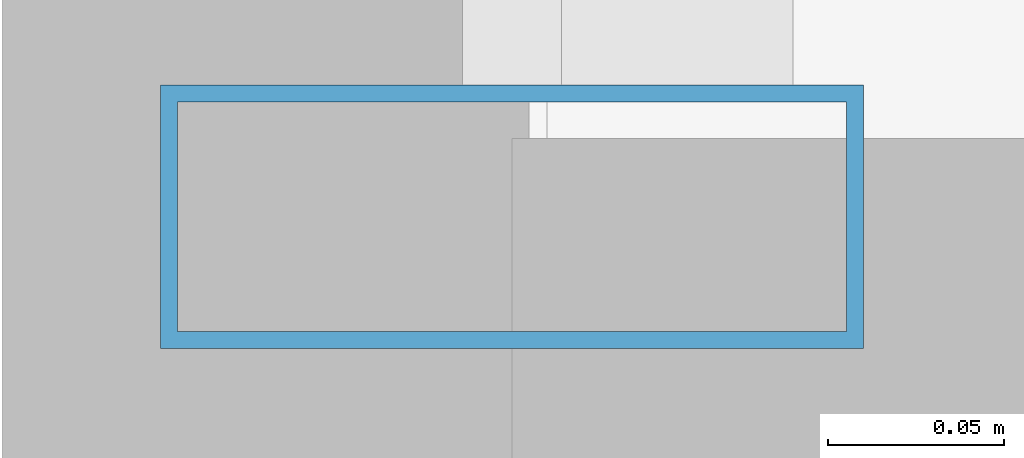
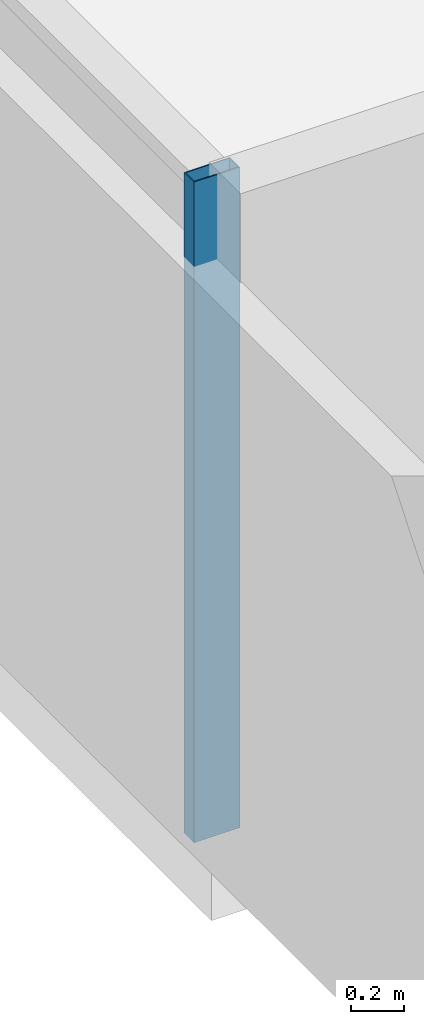
# One storey, part 2 of 30: 1 member, 1 element without a shape of its own.
"""IFC4 building model written with IfcOpenShell, lengths in metres."""

from ifc_helpers import new_model, si_unit, direction, frame, origin, origin_2d, place, context, subcontext, project, spatial, hollow_rectangle, extrude, source, transform, mapped, material, layer, layer_set, material_profile, profile_set, type_object, element, aggregate, save


model = new_model("IFC4")

# Units and contexts
model_context = context("Model", 3, precision=1e-05, world=origin(), true_north=direction((0.0, 1.0)))
body_context = subcontext(model_context, "Body", "Model", "MODEL_VIEW")
ifc_project = project(units=[si_unit("LENGTHUNIT", "METRE"), si_unit("AREAUNIT", "SQUARE_METRE"), si_unit("VOLUMEUNIT", "CUBIC_METRE"), si_unit("PLANEANGLEUNIT", "RADIAN"), si_unit("MASSUNIT", "GRAM", prefix="KILO")], contexts=[model_context])

# Site, building, storey
site_placement = place(None, origin())
site = spatial("IfcSite", under=ifc_project, at=site_placement, CompositionType="ELEMENT")
building_placement = place(site_placement, origin())
building = spatial("IfcBuilding", under=site, at=building_placement, Name="Zarnakvel Exchange Tower", CompositionType="ELEMENT")
storey_placement = place(building_placement, frame((0.0, 0.0, 30.699951171875)))
storey = spatial("IfcBuildingStorey", under=building, at=storey_placement, Name="L07", CompositionType="ELEMENT", Elevation=30.699951171875)

# Curtain wall, member
ifc_material = material(Name="Architectural Bronze Anodised Aluminium", Category="aluminium")
ifc_layer = layer(ifc_material, 0.199951171875)
ifc_layer_set = layer_set([ifc_layer], Name="Architectural Bronze Anodised Aluminium")
curtain_wall_type = type_object("IfcCurtainWallType", Name="CW-04", PredefinedType="NOTDEFINED", material=ifc_layer_set)
curtain_wall_placement = place(storey_placement, origin())
curtain_wall = element("IfcCurtainWall", 1, at=curtain_wall_placement, inside=storey, type_object=curtain_wall_type, Name="L07 Curtain Wall CW-L07-W1 (CW-04)", PredefinedType="NOTDEFINED")
ifc_material_profile = material_profile(ifc_material, hollow_rectangle(XDim=0.199951171875, YDim=0.074951171875, WallThickness=0.0048828125, at=origin_2d()))
ifc_profile_set = profile_set([ifc_material_profile], Name="Architectural Bronze Anodised Aluminium")
member_type = type_object("IfcMemberType", Name="CWM-04", PredefinedType="MULLION", material=ifc_profile_set)
shared_shape = source(origin(), body_context, "Body", "SweptSolid", [
    extrude(hollow_rectangle(XDim=0.199951171875, YDim=0.074951171875, WallThickness=0.0048828125, at=origin_2d()), origin(), (0.0, 0.0, 1.0), 3.054931640625),
])
member_placement = place(storey_placement, frame((-32.4599609375, -14.96240234375, 0.0), z_axis=(0.0, 0.0, 1.0), x_axis=(-1.0, 0.0, 0.0)))
member = element("IfcMember", 2, at=member_placement, type_object=member_type, Name="CW-04 mullion 1", PredefinedType="MULLION", context=body_context, shape_type="MappedRepresentation", body=[
    mapped(shared_shape, transform((0.0, 0.0, 0.0), x_axis=(1.0, 0.0, 0.0), y_axis=(0.0, 1.0, 0.0), z_axis=(0.0, 0.0, 1.0), scale=1.0)),
])
aggregate(curtain_wall, [member])

save(model, "model.ifc")
